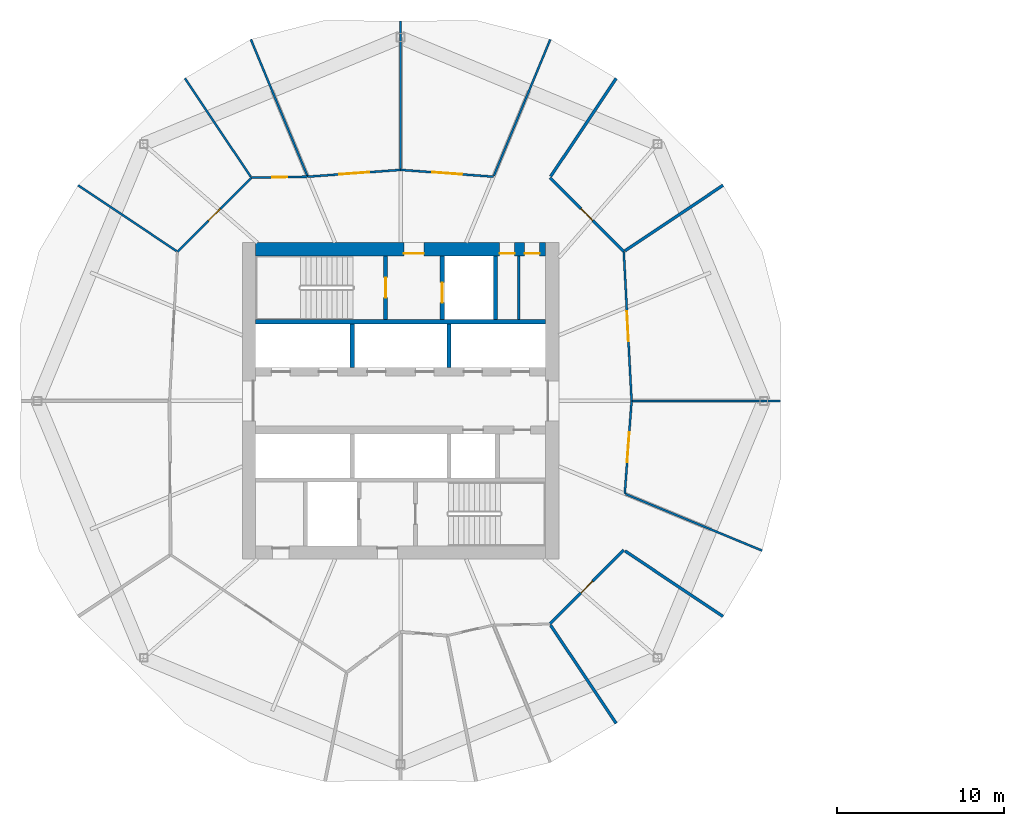
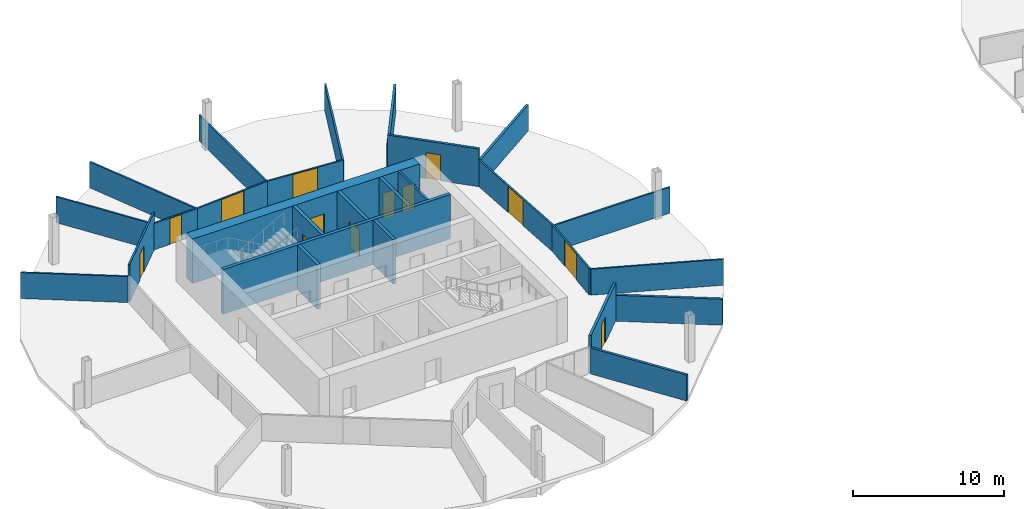
# One storey, part 5 of 9: 27 walls, 13 doors, 13 openings.
"""IFC4 building model written with IfcOpenShell, lengths in metres."""

from ifc_helpers import new_model, si_unit, direction, frame, frame_2d, origin, place, context, subcontext, project, spatial, rectangle, extrude, material, layer, layer_set, type_object, element, fill, save


model = new_model("IFC4")

# Units and contexts
model_context = context("Model", 3, precision=1e-05, world=origin(), true_north=direction((0.0, 1.0)))
body_context = subcontext(model_context, "Body", "Model", "MODEL_VIEW")
ifc_project = project(units=[si_unit("LENGTHUNIT", "METRE"), si_unit("AREAUNIT", "SQUARE_METRE"), si_unit("VOLUMEUNIT", "CUBIC_METRE"), si_unit("PLANEANGLEUNIT", "RADIAN"), si_unit("MASSUNIT", "GRAM", prefix="KILO")], contexts=[model_context])

# Site, building, storey
site_placement = place(None, origin())
site = spatial("IfcSite", under=ifc_project, at=site_placement, CompositionType="ELEMENT")
building_placement = place(site_placement, origin())
building = spatial("IfcBuilding", under=site, at=building_placement, Name="Ogive Gate Towers", CompositionType="ELEMENT")
storey_placement = place(building_placement, frame((0.0, 0.0, 48.0)))
storey = spatial("IfcBuildingStorey", under=building, at=storey_placement, Name="L10", CompositionType="ELEMENT", Elevation=48.0)

# Walls
ifc_material_1 = material(Name="Gypsum board acoustic partition")
ifc_layer_1 = layer(ifc_material_1, 0.175048828125)
ifc_layer_set_1 = layer_set([ifc_layer_1], Name="Acoustic partition 175")
wall_type_1 = type_object("IfcWallType", Name="Acoustic partition 175", PredefinedType="PARTITIONING", material=ifc_layer_set_1)
for number, where, z_axis, x_axis, name in (
    (1, (-16.63134765625, 12.950927734375, 0.0), (0.0, 0.0, 1.0), (-0.831292108501, -0.555835794407, 0.0), "Partition T1-L10-002"),
    (2, (-23.049072265625, 19.36865234375, 0.0), (0.0, 0.0, 1.0), (-0.555835794407, -0.831292108501, 0.0), "Partition T1-L10-003"),
    (3, (-23.049072265625, -19.36865234375, 0.0), (0.0, 0.0, 1.0), (-0.555835794407, 0.831292108501, 0.0), "Partition T1-L10-015"),
    (4, (-16.63134765625, -12.950927734375, 0.0), (0.0, 0.0, 1.0), (-0.831292108501, 0.555835794407, 0.0), "Partition T1-L10-016"),
):
    element("IfcWall", number, at=place(storey_placement, frame(where, z_axis=z_axis, x_axis=x_axis)), inside=storey, type_object=wall_type_1, Name=name, PredefinedType="PARTITIONING", context=body_context, shape_type="SweptSolid", body=[
        extrude(rectangle(XDim=7.09130859375, YDim=0.175048828125, at=frame_2d((3.545654296875, 0.0))), origin(), (0.0, 0.0, 1.0), 2.10009765625),
    ])

# Wall, opening, door
wall_1_placement = place(storey_placement, frame((-27.039306640625, -13.40087890625, 0.0), z_axis=(0.0, 0.0, 1.0), x_axis=(0.707106781187, 0.707106781187, 0.0)))
wall_1 = element("IfcWall", 5, at=wall_1_placement, inside=storey, type_object=wall_type_1, Name="Partition T1-L10-029", PredefinedType="PARTITIONING", context=body_context, shape_type="SweptSolid", body=[
    extrude(rectangle(XDim=6.279296875, YDim=0.175048828125, at=frame_2d((3.1396484375, 0.0))), origin(), (0.0, 0.0, 1.0), 3.050048828125),
])
opening_1_placement = place(wall_1_placement, frame((2.639892578125, 0.0, 0.0)))
opening_1 = element("IfcOpeningElement", 6, at=opening_1_placement, cuts=wall_1, Name="Opening T1-L10-D12", PredefinedType="OPENING", context=body_context, shape_type="SweptSolid", body=[
    extrude(rectangle(XDim=1.0, YDim=2.10009765625, at=frame_2d((0.5, 1.050048828125))), frame((0.0, 0.09765625, 0.0), z_axis=(0.0, -1.0, 0.0), x_axis=(1.0, 0.0, 0.0)), (0.0, 0.0, 1.0), 0.195068359375),
])
ifc_material_2 = material(Name="Timber door", Category="wood")
door_type_1 = type_object("IfcDoorType", Name="Door 1000", OperationType="NOTDEFINED", PredefinedType="DOOR", material=ifc_material_2)
door_1_placement = place(opening_1_placement, origin())
door_1 = element("IfcDoor", 7, at=door_1_placement, inside=storey, type_object=door_type_1, Name="Door T1-L10-D12", OperationType="SINGLE_SWING_LEFT", OverallHeight=2.10009765625, OverallWidth=1.0, PredefinedType="DOOR", context=body_context, shape_type="SweptSolid", body=[
    extrude(rectangle(XDim=1.0, YDim=2.10009765625, at=frame_2d((0.5, 1.050048828125))), frame((0.0, 0.02490234375, 0.0), z_axis=(0.0, -1.0, 0.0), x_axis=(1.0, 0.0, 0.0)), (0.0, 0.0, 1.0), 0.050048828125),
])
fill(opening_1, door_1)

wall_2_placement = place(storey_placement, frame((-22.59912109375, 8.960693359375, 0.0), z_axis=(0.0, 0.0, 1.0), x_axis=(-0.707106781187, 0.707106781187, 0.0)))
wall_2 = element("IfcWall", 8, at=wall_2_placement, inside=storey, type_object=wall_type_1, Name="Partition T1-L10-032", PredefinedType="PARTITIONING", context=body_context, shape_type="SweptSolid", body=[
    extrude(rectangle(XDim=6.279296875, YDim=0.175048828125, at=frame_2d((3.1396484375, 0.0))), origin(), (0.0, 0.0, 1.0), 3.050048828125),
])
opening_2_placement = place(wall_2_placement, frame((2.639892578125, 0.0, 0.0)))
opening_2 = element("IfcOpeningElement", 9, at=opening_2_placement, cuts=wall_2, Name="Opening T1-L10-D15", PredefinedType="OPENING", context=body_context, shape_type="SweptSolid", body=[
    extrude(rectangle(XDim=1.0, YDim=2.10009765625, at=frame_2d((0.5, 1.050048828125))), frame((0.0, 0.09765625, 0.0), z_axis=(0.0, -1.0, 0.0), x_axis=(1.0, 0.0, 0.0)), (0.0, 0.0, 1.0), 0.195068359375),
])
door_2_placement = place(opening_2_placement, origin())
door_2 = element("IfcDoor", 10, at=door_2_placement, inside=storey, type_object=door_type_1, Name="Door T1-L10-D15", OperationType="SINGLE_SWING_LEFT", OverallHeight=2.10009765625, OverallWidth=1.0, PredefinedType="DOOR", context=body_context, shape_type="SweptSolid", body=[
    extrude(rectangle(XDim=1.0, YDim=2.10009765625, at=frame_2d((0.5, 1.050048828125))), frame((0.0, 0.02490234375, 0.0), z_axis=(0.0, -1.0, 0.0), x_axis=(1.0, 0.0, 0.0)), (0.0, 0.0, 1.0), 0.050048828125),
])
fill(opening_2, door_2)

# Wall, openings, doors
ifc_material_3 = material(Name="Concrete C60/75", Category="concrete")
ifc_layer_2 = layer(ifc_material_3, 0.800048828125)
ifc_layer_set_2 = layer_set([ifc_layer_2], Name="Core wall 800 mm")
wall_type_2 = type_object("IfcWallType", Name="Core wall 800 mm", PredefinedType="SHEAR", material=ifc_layer_set_2)
wall_3_placement = place(storey_placement, frame((-44.699951171875, 9.10009765625, 0.0), z_axis=(0.0, 0.0, 1.0), x_axis=(1.0, 0.0, 0.0)))
wall_3 = element("IfcWall", 11, at=wall_3_placement, inside=storey, type_object=wall_type_2, Name="T1 L10 Core wall 800 mm", PredefinedType="SHEAR", context=body_context, shape_type="SweptSolid", body=[
    extrude(rectangle(XDim=17.39990234375, YDim=0.800048828125, at=frame_2d((8.699951171875, 0.0))), origin(), (0.0, 0.0, 1.0), 3.60009765625),
])
opening_3_placement = place(wall_3_placement, frame((8.89990234375, 0.0, 0.0)))
opening_3 = element("IfcOpeningElement", 12, at=opening_3_placement, cuts=wall_3, Name="Opening KD-T1-L10-15", PredefinedType="OPENING", context=body_context, shape_type="SweptSolid", body=[
    extrude(rectangle(XDim=1.199951171875, YDim=2.10009765625, at=frame_2d((0.60009765625, 1.050048828125))), frame((0.0, 0.41015625, 0.0), z_axis=(0.0, -1.0, 0.0), x_axis=(1.0, 0.0, 0.0)), (0.0, 0.0, 1.0), 0.820068359375),
])
opening_4_placement = place(wall_3_placement, frame((14.64990234375, 0.0, 0.0)))
opening_4 = element("IfcOpeningElement", 13, at=opening_4_placement, cuts=wall_3, Name="Opening KD-T1-L10-17", PredefinedType="OPENING", context=body_context, shape_type="SweptSolid", body=[
    extrude(rectangle(XDim=0.89990234375, YDim=2.10009765625, at=frame_2d((0.449951171875, 1.050048828125))), frame((0.0, 0.41015625, 0.0), z_axis=(0.0, -1.0, 0.0), x_axis=(1.0, 0.0, 0.0)), (0.0, 0.0, 1.0), 0.820068359375),
])
opening_5_placement = place(wall_3_placement, frame((16.14990234375, 0.0, 0.0)))
opening_5 = element("IfcOpeningElement", 14, at=opening_5_placement, cuts=wall_3, Name="Opening KD-T1-L10-18", PredefinedType="OPENING", context=body_context, shape_type="SweptSolid", body=[
    extrude(rectangle(XDim=0.89990234375, YDim=2.10009765625, at=frame_2d((0.449951171875, 1.050048828125))), frame((0.0, 0.41015625, 0.0), z_axis=(0.0, -1.0, 0.0), x_axis=(1.0, 0.0, 0.0)), (0.0, 0.0, 1.0), 0.820068359375),
])
door_type_2 = type_object("IfcDoorType", Name="Core WC door 900 x 2100", OperationType="NOTDEFINED", PredefinedType="DOOR", material=ifc_material_2)
door_3_placement = place(opening_4_placement, origin())
door_3 = element("IfcDoor", 15, at=door_3_placement, inside=storey, type_object=door_type_2, Name="T1 L10 Core door", OperationType="SINGLE_SWING_RIGHT", OverallHeight=2.10009765625, OverallWidth=0.89990234375, PredefinedType="DOOR", context=body_context, shape_type="SweptSolid", body=[
    extrude(rectangle(XDim=0.89990234375, YDim=2.10009765625, at=frame_2d((0.449951171875, 1.050048828125))), frame((0.0, -0.22509765625, 0.0), z_axis=(0.0, -1.0, 0.0), x_axis=(1.0, 0.0, 0.0)), (0.0, 0.0, 1.0), 0.050048828125),
])
fill(opening_4, door_3)
door_4_placement = place(opening_5_placement, origin())
door_4 = element("IfcDoor", 16, at=door_4_placement, inside=storey, type_object=door_type_2, Name="T1 L10 Core door", OperationType="SINGLE_SWING_LEFT", OverallHeight=2.10009765625, OverallWidth=0.89990234375, PredefinedType="DOOR", context=body_context, shape_type="SweptSolid", body=[
    extrude(rectangle(XDim=0.89990234375, YDim=2.10009765625, at=frame_2d((0.449951171875, 1.050048828125))), frame((0.0, -0.22509765625, 0.0), z_axis=(0.0, -1.0, 0.0), x_axis=(1.0, 0.0, 0.0)), (0.0, 0.0, 1.0), 0.050048828125),
])
fill(opening_5, door_4)
ifc_material_4 = material(Name="Steel fire door", Category="steel")
door_type_3 = type_object("IfcDoorType", Name="Core door FD60S 1200 x 2100", OperationType="NOTDEFINED", PredefinedType="DOOR", material=ifc_material_4)
door_5_placement = place(opening_3_placement, origin())
door_5 = element("IfcDoor", 17, at=door_5_placement, inside=storey, type_object=door_type_3, Name="T1 L10 Fire-fighting lobby door", OperationType="SINGLE_SWING_RIGHT", OverallHeight=2.10009765625, OverallWidth=1.199951171875, PredefinedType="DOOR", context=body_context, shape_type="SweptSolid", body=[
    extrude(rectangle(XDim=1.199951171875, YDim=2.10009765625, at=frame_2d((0.60009765625, 1.050048828125))), frame((0.0, -0.22509765625, 0.0), z_axis=(0.0, -1.0, 0.0), x_axis=(1.0, 0.0, 0.0)), (0.0, 0.0, 1.0), 0.050048828125),
])
fill(opening_3, door_5)

# Walls
ifc_material_5 = material(Name="Gypsum board partition")
ifc_layer_3 = layer(ifc_material_5, 0.125)
ifc_layer_set_3 = layer_set([ifc_layer_3], Name="Partition 125")
wall_type_3 = type_object("IfcWallType", Name="Partition 125", PredefinedType="PARTITIONING", material=ifc_layer_set_3)
for number, where, z_axis, x_axis, name in (
    (18, (-13.200927734375, 0.0, 0.0), (0.0, 0.0, 1.0), (-1.0, 0.0, 0.0), "Partition T1-L10-001"),
    (19, (-27.007080078125, 21.711181640625, 0.0), (0.0, 0.0, 1.0), (-0.382657399133, -0.923890315399, 0.0), "Partition T1-L10-004"),
    (20, (-36.0, 22.799072265625, 0.0), (0.0, 0.0, 1.0), (0.0, -1.0, 0.0), "Partition T1-L10-005"),
    (21, (-44.992919921875, 21.711181640625, 0.0), (0.0, 0.0, 1.0), (0.382657399133, -0.923890315399, 0.0), "Partition T1-L10-006"),
):
    element("IfcWall", number, at=place(storey_placement, frame(where, z_axis=z_axis, x_axis=x_axis)), inside=storey, type_object=wall_type_3, Name=name, PredefinedType="PARTITIONING", context=body_context, shape_type="SweptSolid", body=[
        extrude(rectangle(XDim=8.866455078125, YDim=0.125, at=frame_2d((4.43310546875, 0.0))), origin(), (0.0, 0.0, 1.0), 2.10009765625),
    ])
for number, where, z_axis, x_axis, name in (
    (22, (-48.950927734375, 19.36865234375, 0.0), (0.0, 0.0, 1.0), (0.555839718836, -0.831289484454, 0.0), "Partition T1-L10-007"),
    (23, (-55.36865234375, 12.950927734375, 0.0), (0.0, 0.0, 1.0), (0.831289484454, -0.555839718836, 0.0), "Partition T1-L10-008"),
):
    element("IfcWall", number, at=place(storey_placement, frame(where, z_axis=z_axis, x_axis=x_axis)), inside=storey, type_object=wall_type_3, Name=name, PredefinedType="PARTITIONING", context=body_context, shape_type="SweptSolid", body=[
        extrude(rectangle(XDim=7.116455078125, YDim=0.125, at=frame_2d((3.55810546875, 0.0))), origin(), (0.0, 0.0, 1.0), 2.10009765625),
    ])
wall_4_placement = place(storey_placement, frame((-14.288818359375, -8.992919921875, 0.0), z_axis=(0.0, 0.0, 1.0), x_axis=(-0.923890315399, 0.382657399133, 0.0)))
element("IfcWall", 24, at=wall_4_placement, inside=storey, type_object=wall_type_3, Name="Partition T1-L10-017", PredefinedType="PARTITIONING", context=body_context, shape_type="SweptSolid", body=[
    extrude(rectangle(XDim=8.866455078125, YDim=0.125, at=frame_2d((4.43310546875, 0.0))), origin(), (0.0, 0.0, 1.0), 2.10009765625),
])

# Wall, opening, door
wall_5_placement = place(storey_placement, frame((-30.423828125, 13.4619140625, 0.0), z_axis=(0.0, 0.0, 1.0), x_axis=(-0.99733124258, 0.073009537548, 0.0)))
wall_5 = element("IfcWall", 25, at=wall_5_placement, inside=storey, type_object=wall_type_3, Name="Partition T1-L10-018", PredefinedType="PARTITIONING", context=body_context, shape_type="SweptSolid", body=[
    extrude(rectangle(XDim=5.591064453125, YDim=0.125, at=frame_2d((2.79541015625, 0.0))), origin(), (0.0, 0.0, 1.0), 2.139892578125),
])
opening_6_placement = place(wall_5_placement, frame((1.89501953125, 0.0, 0.0)))
opening_6 = element("IfcOpeningElement", 26, at=opening_6_placement, cuts=wall_5, Name="Opening T1-L10-D01", PredefinedType="OPENING", context=body_context, shape_type="SweptSolid", body=[
    extrude(rectangle(XDim=1.800048828125, YDim=2.10009765625, at=frame_2d((0.89990234375, 1.050048828125))), frame((0.0, 0.072509765625, 0.0), z_axis=(0.0, -1.0, 0.0), x_axis=(1.0, 0.0, 0.0)), (0.0, 0.0, 1.0), 0.14501953125),
])
door_type_4 = type_object("IfcDoorType", Name="Door pair 1800", OperationType="NOTDEFINED", PredefinedType="DOOR", material=ifc_material_2)
door_6_placement = place(opening_6_placement, origin())
door_6 = element("IfcDoor", 27, at=door_6_placement, inside=storey, type_object=door_type_4, Name="Door T1-L10-D01", OperationType="DOUBLE_DOOR_DOUBLE_SWING", OverallHeight=2.10009765625, OverallWidth=1.800048828125, PredefinedType="DOOR", context=body_context, shape_type="SweptSolid", body=[
    extrude(rectangle(XDim=1.800048828125, YDim=2.10009765625, at=frame_2d((0.89990234375, 1.050048828125))), frame((0.0, 0.02490234375, 0.0), z_axis=(0.0, -1.0, 0.0), x_axis=(1.0, 0.0, 0.0)), (0.0, 0.0, 1.0), 0.050048828125),
])
fill(opening_6, door_6)

wall_6_placement = place(storey_placement, frame((-36.0, 13.8701171875, 0.0), z_axis=(0.0, 0.0, 1.0), x_axis=(-0.99733124258, -0.073009537548, 0.0)))
wall_6 = element("IfcWall", 28, at=wall_6_placement, inside=storey, type_object=wall_type_3, Name="Partition T1-L10-019", PredefinedType="PARTITIONING", context=body_context, shape_type="SweptSolid", body=[
    extrude(rectangle(XDim=5.591064453125, YDim=0.125, at=frame_2d((2.79541015625, 0.0))), origin(), (0.0, 0.0, 1.0), 2.139892578125),
])
opening_7_placement = place(wall_6_placement, frame((1.89501953125, 0.0, 0.0)))
opening_7 = element("IfcOpeningElement", 29, at=opening_7_placement, cuts=wall_6, Name="Opening T1-L10-D02", PredefinedType="OPENING", context=body_context, shape_type="SweptSolid", body=[
    extrude(rectangle(XDim=1.800048828125, YDim=2.10009765625, at=frame_2d((0.89990234375, 1.050048828125))), frame((0.0, 0.072509765625, 0.0), z_axis=(0.0, -1.0, 0.0), x_axis=(1.0, 0.0, 0.0)), (0.0, 0.0, 1.0), 0.14501953125),
])
door_7_placement = place(opening_7_placement, origin())
door_7 = element("IfcDoor", 30, at=door_7_placement, inside=storey, type_object=door_type_4, Name="Door T1-L10-D02", OperationType="DOUBLE_DOOR_DOUBLE_SWING", OverallHeight=2.10009765625, OverallWidth=1.800048828125, PredefinedType="DOOR", context=body_context, shape_type="SweptSolid", body=[
    extrude(rectangle(XDim=1.800048828125, YDim=2.10009765625, at=frame_2d((0.89990234375, 1.050048828125))), frame((0.0, 0.02490234375, 0.0), z_axis=(0.0, -1.0, 0.0), x_axis=(1.0, 0.0, 0.0)), (0.0, 0.0, 1.0), 0.050048828125),
])
fill(opening_7, door_7)

wall_7_placement = place(storey_placement, frame((-41.576171875, 13.4619140625, 0.0), z_axis=(0.0, 0.0, 1.0), x_axis=(-0.999837434021, -0.018030683006, 0.0)))
wall_7 = element("IfcWall", 31, at=wall_7_placement, inside=storey, type_object=wall_type_3, Name="Partition T1-L10-020", PredefinedType="PARTITIONING", context=body_context, shape_type="SweptSolid", body=[
    extrude(rectangle(XDim=3.385009765625, YDim=0.125, at=frame_2d((1.6923828125, 0.0))), origin(), (0.0, 0.0, 1.0), 2.139892578125),
])
opening_8_placement = place(wall_7_placement, frame((1.242919921875, 0.0, 0.0)))
opening_8 = element("IfcOpeningElement", 32, at=opening_8_placement, cuts=wall_7, Name="Opening T1-L10-D03", PredefinedType="OPENING", context=body_context, shape_type="SweptSolid", body=[
    extrude(rectangle(XDim=0.89990234375, YDim=2.10009765625, at=frame_2d((0.449951171875, 1.050048828125))), frame((0.0, 0.072509765625, 0.0), z_axis=(0.0, -1.0, 0.0), x_axis=(1.0, 0.0, 0.0)), (0.0, 0.0, 1.0), 0.14501953125),
])
door_type_5 = type_object("IfcDoorType", Name="Door 900", OperationType="NOTDEFINED", PredefinedType="DOOR", material=ifc_material_2)
door_8_placement = place(opening_8_placement, origin())
door_8 = element("IfcDoor", 33, at=door_8_placement, inside=storey, type_object=door_type_5, Name="Door T1-L10-D03", OperationType="SINGLE_SWING_RIGHT", OverallHeight=2.10009765625, OverallWidth=0.89990234375, PredefinedType="DOOR", context=body_context, shape_type="SweptSolid", body=[
    extrude(rectangle(XDim=0.89990234375, YDim=2.10009765625, at=frame_2d((0.449951171875, 1.050048828125))), frame((0.0, 0.02490234375, 0.0), z_axis=(0.0, -1.0, 0.0), x_axis=(1.0, 0.0, 0.0)), (0.0, 0.0, 1.0), 0.050048828125),
])
fill(opening_8, door_8)

wall_8_placement = place(storey_placement, frame((-44.960693359375, 13.40087890625, 0.0), z_axis=(0.0, 0.0, 1.0), x_axis=(-0.707106781187, -0.707106781187, 0.0)))
wall_8 = element("IfcWall", 34, at=wall_8_placement, inside=storey, type_object=wall_type_3, Name="Partition T1-L10-021", PredefinedType="PARTITIONING", context=body_context, shape_type="SweptSolid", body=[
    extrude(rectangle(XDim=6.279296875, YDim=0.125, at=frame_2d((3.1396484375, 0.0))), origin(), (0.0, 0.0, 1.0), 3.050048828125),
])
opening_9_placement = place(wall_8_placement, frame((2.639892578125, 0.0, 0.0)))
opening_9 = element("IfcOpeningElement", 35, at=opening_9_placement, cuts=wall_8, Name="Opening T1-L10-D04", PredefinedType="OPENING", context=body_context, shape_type="SweptSolid", body=[
    extrude(rectangle(XDim=1.0, YDim=2.10009765625, at=frame_2d((0.5, 1.050048828125))), frame((0.0, 0.072509765625, 0.0), z_axis=(0.0, -1.0, 0.0), x_axis=(1.0, 0.0, 0.0)), (0.0, 0.0, 1.0), 0.14501953125),
])
door_9_placement = place(opening_9_placement, origin())
door_9 = element("IfcDoor", 36, at=door_9_placement, inside=storey, type_object=door_type_1, Name="Door T1-L10-D04", OperationType="SINGLE_SWING_LEFT", OverallHeight=2.10009765625, OverallWidth=1.0, PredefinedType="DOOR", context=body_context, shape_type="SweptSolid", body=[
    extrude(rectangle(XDim=1.0, YDim=2.10009765625, at=frame_2d((0.5, 1.050048828125))), frame((0.0, 0.02490234375, 0.0), z_axis=(0.0, -1.0, 0.0), x_axis=(1.0, 0.0, 0.0)), (0.0, 0.0, 1.0), 0.050048828125),
])
fill(opening_9, door_9)

wall_9_placement = place(storey_placement, frame((-22.5380859375, -5.576171875, 0.0), z_axis=(0.0, 0.0, 1.0), x_axis=(0.073009537548, 0.99733124258, 0.0)))
wall_9 = element("IfcWall", 37, at=wall_9_placement, inside=storey, type_object=wall_type_3, Name="Partition T1-L10-030", PredefinedType="PARTITIONING", context=body_context, shape_type="SweptSolid", body=[
    extrude(rectangle(XDim=5.591064453125, YDim=0.125, at=frame_2d((2.79541015625, 0.0))), origin(), (0.0, 0.0, 1.0), 2.139892578125),
])
opening_10_placement = place(wall_9_placement, frame((1.89501953125, 0.0, 0.0)))
opening_10 = element("IfcOpeningElement", 38, at=opening_10_placement, cuts=wall_9, Name="Opening T1-L10-D13", PredefinedType="OPENING", context=body_context, shape_type="SweptSolid", body=[
    extrude(rectangle(XDim=1.800048828125, YDim=2.10009765625, at=frame_2d((0.89990234375, 1.050048828125))), frame((0.0, 0.072509765625, 0.0), z_axis=(0.0, -1.0, 0.0), x_axis=(1.0, 0.0, 0.0)), (0.0, 0.0, 1.0), 0.14501953125),
])
door_10_placement = place(opening_10_placement, origin())
door_10 = element("IfcDoor", 39, at=door_10_placement, inside=storey, type_object=door_type_4, Name="Door T1-L10-D13", OperationType="DOUBLE_DOOR_DOUBLE_SWING", OverallHeight=2.10009765625, OverallWidth=1.800048828125, PredefinedType="DOOR", context=body_context, shape_type="SweptSolid", body=[
    extrude(rectangle(XDim=1.800048828125, YDim=2.10009765625, at=frame_2d((0.89990234375, 1.050048828125))), frame((0.0, 0.02490234375, 0.0), z_axis=(0.0, -1.0, 0.0), x_axis=(1.0, 0.0, 0.0)), (0.0, 0.0, 1.0), 0.050048828125),
])
fill(opening_10, door_10)

wall_10_placement = place(storey_placement, frame((-22.1298828125, 0.0, 0.0), z_axis=(0.0, 0.0, 1.0), x_axis=(-0.052294638748, 0.998631699256, 0.0)))
wall_10 = element("IfcWall", 40, at=wall_10_placement, inside=storey, type_object=wall_type_3, Name="Partition T1-L10-031", PredefinedType="PARTITIONING", context=body_context, shape_type="SweptSolid", body=[
    extrude(rectangle(XDim=8.972900390625, YDim=0.125, at=frame_2d((4.486328125, 0.0))), origin(), (0.0, 0.0, 1.0), 2.139892578125),
])
opening_11_placement = place(wall_10_placement, frame((3.5859375, 0.0, 0.0)))
opening_11 = element("IfcOpeningElement", 41, at=opening_11_placement, cuts=wall_10, Name="Opening T1-L10-D14", PredefinedType="OPENING", context=body_context, shape_type="SweptSolid", body=[
    extrude(rectangle(XDim=1.800048828125, YDim=2.10009765625, at=frame_2d((0.89990234375, 1.050048828125))), frame((0.0, 0.072509765625, 0.0), z_axis=(0.0, -1.0, 0.0), x_axis=(1.0, 0.0, 0.0)), (0.0, 0.0, 1.0), 0.14501953125),
])
door_11_placement = place(opening_11_placement, origin())
door_11 = element("IfcDoor", 42, at=door_11_placement, inside=storey, type_object=door_type_4, Name="Door T1-L10-D14", OperationType="DOUBLE_DOOR_DOUBLE_SWING", OverallHeight=2.10009765625, OverallWidth=1.800048828125, PredefinedType="DOOR", context=body_context, shape_type="SweptSolid", body=[
    extrude(rectangle(XDim=1.800048828125, YDim=2.10009765625, at=frame_2d((0.89990234375, 1.050048828125))), frame((0.0, 0.02490234375, 0.0), z_axis=(0.0, -1.0, 0.0), x_axis=(1.0, 0.0, 0.0)), (0.0, 0.0, 1.0), 0.050048828125),
])
fill(opening_11, door_11)

# Walls
ifc_layer_4 = layer(ifc_material_5, 0.14990234375)
ifc_layer_set_4 = layer_set([ifc_layer_4], Name="Room partition 150 mm")
wall_type_4 = type_object("IfcWallType", Name="Room partition 150 mm", PredefinedType="PARTITIONING", material=ifc_layer_set_4)
wall_11_placement = place(storey_placement, frame((-28.89990234375, 4.875, 0.0), z_axis=(0.0, 0.0, 1.0), x_axis=(0.0, 1.0, 0.0)))
element("IfcWall", 43, at=wall_11_placement, inside=storey, type_object=wall_type_4, Name="T1 L10 Room partition 150 mm", PredefinedType="PARTITIONING", context=body_context, shape_type="SweptSolid", body=[
    extrude(rectangle(XDim=3.824951171875, YDim=0.14990234375, at=frame_2d((1.91259765625, 0.0))), origin(), (0.0, 0.0, 1.0), 3.60009765625),
])
ifc_layer_5 = layer(ifc_material_3, 0.25)
ifc_layer_set_5 = layer_set([ifc_layer_5], Name="Shaft wall 250 mm")
wall_type_5 = type_object("IfcWallType", Name="Shaft wall 250 mm", PredefinedType="SHEAR", material=ifc_layer_set_5)
wall_12_placement = place(storey_placement, frame((-44.699951171875, 4.75, 0.0), z_axis=(0.0, 0.0, 1.0), x_axis=(1.0, 0.0, 0.0)))
element("IfcWall", 44, at=wall_12_placement, inside=storey, type_object=wall_type_5, Name="T1 L10 Shaft wall 250 mm", PredefinedType="SHEAR", context=body_context, shape_type="SweptSolid", body=[
    extrude(rectangle(XDim=17.39990234375, YDim=0.25, at=frame_2d((8.699951171875, 0.0))), origin(), (0.0, 0.0, 1.0), 3.60009765625),
])
wall_13_placement = place(storey_placement, frame((-38.89990234375, 2.0, 0.0), z_axis=(0.0, 0.0, 1.0), x_axis=(0.0, 1.0, 0.0)))
element("IfcWall", 45, at=wall_13_placement, inside=storey, type_object=wall_type_5, Name="T1 L10 Shaft wall 250 mm", PredefinedType="SHEAR", context=body_context, shape_type="SweptSolid", body=[
    extrude(rectangle(XDim=2.625, YDim=0.25, at=frame_2d((1.3125, 0.0))), origin(), (0.0, 0.0, 1.0), 3.60009765625),
])

# Wall, opening, door
wall_14_placement = place(storey_placement, frame((-36.89990234375, 4.875, 0.0), z_axis=(0.0, 0.0, 1.0), x_axis=(0.0, 1.0, 0.0)))
wall_14 = element("IfcWall", 46, at=wall_14_placement, inside=storey, type_object=wall_type_5, Name="T1 L10 Shaft wall 250 mm", PredefinedType="SHEAR", context=body_context, shape_type="SweptSolid", body=[
    extrude(rectangle(XDim=3.824951171875, YDim=0.25, at=frame_2d((1.91259765625, 0.0))), origin(), (0.0, 0.0, 1.0), 3.60009765625),
])
opening_12_placement = place(wall_14_placement, frame((1.324951171875, 0.0, 0.0)))
opening_12 = element("IfcOpeningElement", 47, at=opening_12_placement, cuts=wall_14, Name="Opening KD-T1-L10-13", PredefinedType="OPENING", context=body_context, shape_type="SweptSolid", body=[
    extrude(rectangle(XDim=1.199951171875, YDim=2.10009765625, at=frame_2d((0.60009765625, 1.050048828125))), frame((0.0, 0.135009765625, 0.0), z_axis=(0.0, -1.0, 0.0), x_axis=(1.0, 0.0, 0.0)), (0.0, 0.0, 1.0), 0.27001953125),
])
door_12_placement = place(opening_12_placement, origin())
door_12 = element("IfcDoor", 48, at=door_12_placement, inside=storey, type_object=door_type_3, Name="T1 L10 Stair door", OperationType="SINGLE_SWING_RIGHT", OverallHeight=2.10009765625, OverallWidth=1.199951171875, PredefinedType="DOOR", context=body_context, shape_type="SweptSolid", body=[
    extrude(rectangle(XDim=1.199951171875, YDim=2.10009765625, at=frame_2d((0.60009765625, 1.050048828125))), frame((0.0, 0.02490234375, 0.0), z_axis=(0.0, -1.0, 0.0), x_axis=(1.0, 0.0, 0.0)), (0.0, 0.0, 1.0), 0.050048828125),
])
fill(opening_12, door_12)

wall_15_placement = place(storey_placement, frame((-33.5, 4.875, 0.0), z_axis=(0.0, 0.0, 1.0), x_axis=(0.0, 1.0, 0.0)))
wall_15 = element("IfcWall", 49, at=wall_15_placement, inside=storey, type_object=wall_type_5, Name="T1 L10 Shaft wall 250 mm", PredefinedType="SHEAR", context=body_context, shape_type="SweptSolid", body=[
    extrude(rectangle(XDim=3.824951171875, YDim=0.25, at=frame_2d((1.91259765625, 0.0))), origin(), (0.0, 0.0, 1.0), 3.60009765625),
])
opening_13_placement = place(wall_15_placement, frame((1.02490234375, 0.0, 0.0)))
opening_13 = element("IfcOpeningElement", 50, at=opening_13_placement, cuts=wall_15, Name="Opening LD-T1-L10-10", PredefinedType="OPENING", context=body_context, shape_type="SweptSolid", body=[
    extrude(rectangle(XDim=1.199951171875, YDim=2.10009765625, at=frame_2d((0.60009765625, 1.050048828125))), frame((0.0, 0.135009765625, 0.0), z_axis=(0.0, -1.0, 0.0), x_axis=(1.0, 0.0, 0.0)), (0.0, 0.0, 1.0), 0.27001953125),
])
ifc_material_6 = material(Name="Stainless steel landing door", Category="steel")
door_type_6 = type_object("IfcDoorType", Name="Landing door 1200 x 2100", OperationType="SLIDING_TO_LEFT", PredefinedType="DOOR", material=ifc_material_6)
door_13_placement = place(opening_13_placement, origin())
door_13 = element("IfcDoor", 51, at=door_13_placement, inside=storey, type_object=door_type_6, Name="T1 L10 Lift landing door FF1", OperationType="SLIDING_TO_LEFT", OverallHeight=2.10009765625, OverallWidth=1.199951171875, PredefinedType="DOOR", context=body_context, shape_type="SweptSolid", body=[
    extrude(rectangle(XDim=1.199951171875, YDim=2.10009765625, at=frame_2d((0.60009765625, 1.050048828125))), frame((0.0, 0.02490234375, 0.0), z_axis=(0.0, -1.0, 0.0), x_axis=(1.0, 0.0, 0.0)), (0.0, 0.0, 1.0), 0.050048828125),
])
fill(opening_13, door_13)

# Walls
wall_16_placement = place(storey_placement, frame((-33.10009765625, 2.0, 0.0), z_axis=(0.0, 0.0, 1.0), x_axis=(0.0, 1.0, 0.0)))
element("IfcWall", 52, at=wall_16_placement, inside=storey, type_object=wall_type_5, Name="T1 L10 Shaft wall 250 mm", PredefinedType="SHEAR", context=body_context, shape_type="SweptSolid", body=[
    extrude(rectangle(XDim=2.625, YDim=0.25, at=frame_2d((1.3125, 0.0))), origin(), (0.0, 0.0, 1.0), 3.60009765625),
])
wall_17_placement = place(storey_placement, frame((-30.300048828125, 4.875, 0.0), z_axis=(0.0, 0.0, 1.0), x_axis=(0.0, 1.0, 0.0)))
element("IfcWall", 53, at=wall_17_placement, inside=storey, type_object=wall_type_5, Name="T1 L10 Shaft wall 250 mm", PredefinedType="SHEAR", context=body_context, shape_type="SweptSolid", body=[
    extrude(rectangle(XDim=3.824951171875, YDim=0.25, at=frame_2d((1.91259765625, 0.0))), origin(), (0.0, 0.0, 1.0), 3.60009765625),
])

save(model, "model.ifc")
